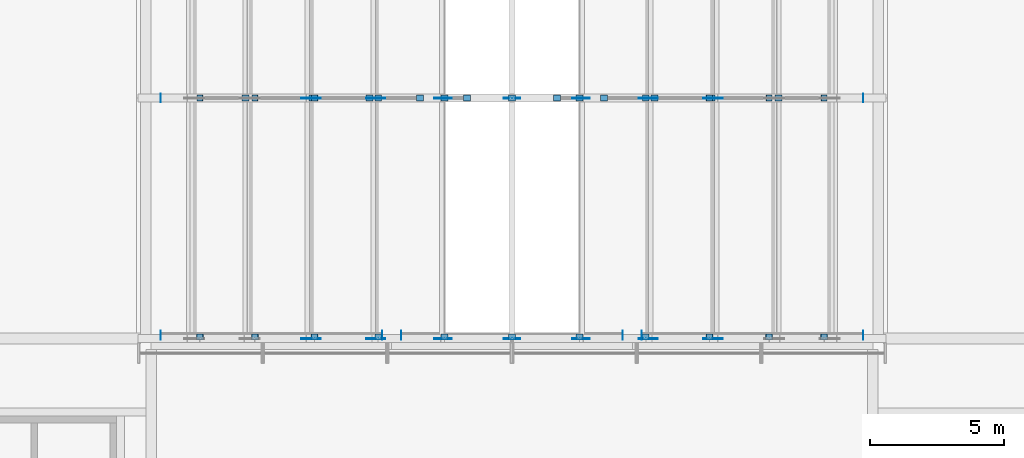
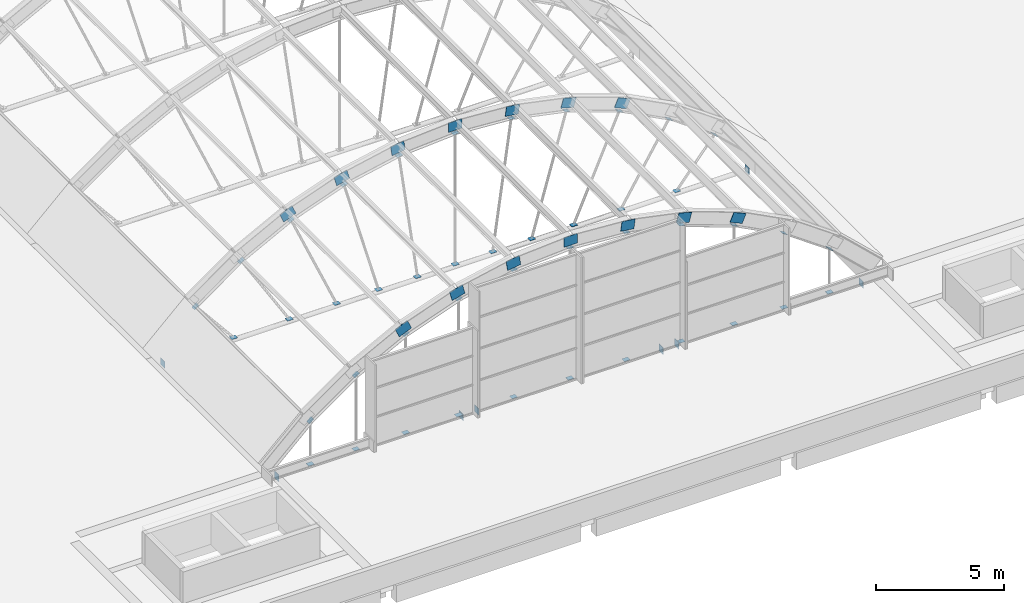
# One storey, part 37 of 43: 80 discrete accessories.
"""IFC4 building model written with IfcOpenShell, lengths in metres."""

from ifc_helpers import new_model, si_unit, direction, frame, origin, origin_2d, place, context, subcontext, project, spatial, rectangle, extrude, material, material_profile, profile_set, type_object, element, save


model = new_model("IFC4")

# Units and contexts
model_context = context("Model", 3, precision=1e-05, world=origin(), true_north=direction((0.0, 1.0)))
body_context = subcontext(model_context, "Body", "Model", "MODEL_VIEW")
ifc_project = project(units=[si_unit("LENGTHUNIT", "METRE"), si_unit("AREAUNIT", "SQUARE_METRE"), si_unit("VOLUMEUNIT", "CUBIC_METRE"), si_unit("PLANEANGLEUNIT", "RADIAN"), si_unit("MASSUNIT", "GRAM", prefix="KILO")], contexts=[model_context])

# Site, building, storey
site_placement = place(None, origin())
site = spatial("IfcSite", under=ifc_project, at=site_placement, CompositionType="ELEMENT")
building_placement = place(site_placement, origin())
building = spatial("IfcBuilding", under=site, at=building_placement, Name="Guidao Yard Department Store", CompositionType="ELEMENT")
storey_placement = place(building_placement, frame((0.0, 0.0, 28.5)))
storey = spatial("IfcBuildingStorey", under=building, at=storey_placement, Name="L06", CompositionType="ELEMENT", Elevation=28.5)

# Discrete accessories
ifc_material_1 = material(Name="Steel Q355B", Category="steel")
ifc_material_profile_1 = material_profile(ifc_material_1, rectangle(XDim=0.011962890625, YDim=0.449951171875, at=origin_2d()), Name="Splice plate 450x12")
ifc_profile_set_1 = profile_set([ifc_material_profile_1], Name="Steel Q355B")
discrete_accessory_type_1 = type_object("IfcDiscreteAccessoryType", Name="Rib splice plate SP2 steel", PredefinedType="BRACKET", material=ifc_profile_set_1)
for number, where, z_axis, x_axis, name in (
    (1, (23.69873046875, 53.987548828125, 4.56689453125), (0.916642434779, 0.0, 0.399708202022), (0.0, 1.0, 0.0), "Rib splice plate A01-03A"),
    (2, (23.69873046875, 54.012451171875, 4.56689453125), (0.916642434779, 0.0, 0.399708202022), (0.0, 1.0, 0.0), "Rib splice plate A01-03B"),
):
    element("IfcDiscreteAccessory", number, at=place(storey_placement, frame(where, z_axis=z_axis, x_axis=x_axis)), inside=storey, type_object=discrete_accessory_type_1, Name=name, PredefinedType="BRACKET", context=body_context, shape_type="SweptSolid", body=[
        extrude(rectangle(XDim=0.011962890625, YDim=0.449951171875, at=origin_2d()), origin(), (0.0, 0.0, 1.0), 0.599853515625),
    ])
for number, where, z_axis, x_axis, name in (
    (3, (26.11083984375, 53.987548828125, 5.470703125), (0.962697322313, 0.0, 0.270580608342), (0.0, 1.0, 0.0), "Rib splice plate A01-04A"),
    (4, (26.11083984375, 54.012451171875, 5.470703125), (0.962697322313, 0.0, 0.270580608342), (0.0, 1.0, 0.0), "Rib splice plate A01-04B"),
    (5, (28.627685546875, 53.987548828125, 6.036865234375), (0.990613532421, 0.0, 0.13669246279), (0.0, 1.0, 0.0), "Rib splice plate A01-05A"),
    (6, (28.627685546875, 54.012451171875, 6.036865234375), (0.990613532421, 0.0, 0.13669246279), (0.0, 1.0, 0.0), "Rib splice plate A01-05B"),
    (7, (31.199951171875, 53.987548828125, 6.25439453125), (1.0, 0.0, 0.0), (0.0, 1.0, 0.0), "Rib splice plate A01-06A"),
    (8, (31.199951171875, 54.012451171875, 6.25439453125), (1.0, 0.0, 0.0), (0.0, 1.0, 0.0), "Rib splice plate A01-06B"),
    (9, (33.77783203125, 53.987548828125, 6.118896484375), (0.990613532421, 0.0, -0.13669246279), (0.0, 1.0, 0.0), "Rib splice plate A01-07A"),
    (10, (33.77783203125, 54.012451171875, 6.118896484375), (0.990613532421, 0.0, -0.13669246279), (0.0, 1.0, 0.0), "Rib splice plate A01-07B"),
    (11, (36.3115234375, 53.987548828125, 5.633056640625), (0.962697322313, 0.0, -0.270580608342), (0.0, 1.0, 0.0), "Rib splice plate A01-08A"),
    (12, (36.3115234375, 54.012451171875, 5.633056640625), (0.962697322313, 0.0, -0.270580608342), (0.0, 1.0, 0.0), "Rib splice plate A01-08B"),
):
    element("IfcDiscreteAccessory", number, at=place(storey_placement, frame(where, z_axis=z_axis, x_axis=x_axis)), inside=storey, type_object=discrete_accessory_type_1, Name=name, PredefinedType="BRACKET", context=body_context, shape_type="SweptSolid", body=[
        extrude(rectangle(XDim=0.011962890625, YDim=0.449951171875, at=origin_2d()), origin(), (0.0, 0.0, 1.0), 0.60009765625),
    ])
for number, where, z_axis, x_axis, name in (
    (13, (38.75146484375, 53.987548828125, 4.806640625), (0.916642434779, 0.0, -0.399708202022), (0.0, 1.0, 0.0), "Rib splice plate A01-09A"),
    (14, (38.75146484375, 54.012451171875, 4.806640625), (0.916642434779, 0.0, -0.399708202022), (0.0, 1.0, 0.0), "Rib splice plate A01-09B"),
    (15, (23.69873046875, 62.987548828125, 4.56689453125), (0.916642434779, 0.0, 0.399708202022), (0.0, 1.0, 0.0), "Rib splice plate A02-03A"),
    (16, (23.69873046875, 63.012451171875, 4.56689453125), (0.916642434779, 0.0, 0.399708202022), (0.0, 1.0, 0.0), "Rib splice plate A02-03B"),
):
    element("IfcDiscreteAccessory", number, at=place(storey_placement, frame(where, z_axis=z_axis, x_axis=x_axis)), inside=storey, type_object=discrete_accessory_type_1, Name=name, PredefinedType="BRACKET", context=body_context, shape_type="SweptSolid", body=[
        extrude(rectangle(XDim=0.011962890625, YDim=0.449951171875, at=origin_2d()), origin(), (0.0, 0.0, 1.0), 0.599853515625),
    ])
for number, where, z_axis, x_axis, name in (
    (17, (26.11083984375, 62.987548828125, 5.470703125), (0.962697322313, 0.0, 0.270580608342), (0.0, 1.0, 0.0), "Rib splice plate A02-04A"),
    (18, (26.11083984375, 63.012451171875, 5.470703125), (0.962697322313, 0.0, 0.270580608342), (0.0, 1.0, 0.0), "Rib splice plate A02-04B"),
    (19, (28.627685546875, 62.987548828125, 6.036865234375), (0.990613532421, 0.0, 0.13669246279), (0.0, 1.0, 0.0), "Rib splice plate A02-05A"),
    (20, (28.627685546875, 63.012451171875, 6.036865234375), (0.990613532421, 0.0, 0.13669246279), (0.0, 1.0, 0.0), "Rib splice plate A02-05B"),
    (21, (31.199951171875, 62.987548828125, 6.25439453125), (1.0, 0.0, 0.0), (0.0, 1.0, 0.0), "Rib splice plate A02-06A"),
    (22, (31.199951171875, 63.012451171875, 6.25439453125), (1.0, 0.0, 0.0), (0.0, 1.0, 0.0), "Rib splice plate A02-06B"),
    (23, (33.77783203125, 62.987548828125, 6.118896484375), (0.990613532421, 0.0, -0.13669246279), (0.0, 1.0, 0.0), "Rib splice plate A02-07A"),
    (24, (33.77783203125, 63.012451171875, 6.118896484375), (0.990613532421, 0.0, -0.13669246279), (0.0, 1.0, 0.0), "Rib splice plate A02-07B"),
    (25, (36.3115234375, 62.987548828125, 5.633056640625), (0.962697322313, 0.0, -0.270580608342), (0.0, 1.0, 0.0), "Rib splice plate A02-08A"),
    (26, (36.3115234375, 63.012451171875, 5.633056640625), (0.962697322313, 0.0, -0.270580608342), (0.0, 1.0, 0.0), "Rib splice plate A02-08B"),
):
    element("IfcDiscreteAccessory", number, at=place(storey_placement, frame(where, z_axis=z_axis, x_axis=x_axis)), inside=storey, type_object=discrete_accessory_type_1, Name=name, PredefinedType="BRACKET", context=body_context, shape_type="SweptSolid", body=[
        extrude(rectangle(XDim=0.011962890625, YDim=0.449951171875, at=origin_2d()), origin(), (0.0, 0.0, 1.0), 0.60009765625),
    ])
for number, where, z_axis, x_axis, name in (
    (27, (38.75146484375, 62.987548828125, 4.806640625), (0.916642434779, 0.0, -0.399708202022), (0.0, 1.0, 0.0), "Rib splice plate A02-09A"),
    (28, (38.75146484375, 63.012451171875, 4.806640625), (0.916642434779, 0.0, -0.399708202022), (0.0, 1.0, 0.0), "Rib splice plate A02-09B"),
):
    element("IfcDiscreteAccessory", number, at=place(storey_placement, frame(where, z_axis=z_axis, x_axis=x_axis)), inside=storey, type_object=discrete_accessory_type_1, Name=name, PredefinedType="BRACKET", context=body_context, shape_type="SweptSolid", body=[
        extrude(rectangle(XDim=0.011962890625, YDim=0.449951171875, at=origin_2d()), origin(), (0.0, 0.0, 1.0), 0.599853515625),
    ])
ifc_material_2 = material(Name="Steel Q355B", Category="steel")
ifc_material_profile_2 = material_profile(ifc_material_2, rectangle(XDim=0.327880859375, YDim=0.011962890625, at=origin_2d()), Name="Node plate 328x12")
ifc_profile_set_2 = profile_set([ifc_material_profile_2], Name="Steel Q355B")
discrete_accessory_type_2 = type_object("IfcDiscreteAccessoryType", Name="Tie end plate NP3 328 steel", PredefinedType="BRACKET", material=ifc_profile_set_2)
for number, where, z_axis, x_axis, name in (
    (29, (18.35595703125, 53.9560546875, -0.449951171875), (0.0, 1.0, 0.0), (0.0, 0.0, 1.0), "Tie end plate A01-1L"),
    (30, (26.64404296875, 53.9560546875, -0.449951171875), (0.0, 1.0, 0.0), (0.0, 0.0, 1.0), "Tie end plate A01-1R"),
    (31, (27.35595703125, 53.9560546875, -0.449951171875), (0.0, 1.0, 0.0), (0.0, 0.0, 1.0), "Tie end plate A01-2L"),
    (32, (35.64404296875, 53.9560546875, -0.449951171875), (0.0, 1.0, 0.0), (0.0, 0.0, 1.0), "Tie end plate A01-2R"),
    (33, (36.35595703125, 53.9560546875, -0.449951171875), (0.0, 1.0, 0.0), (0.0, 0.0, 1.0), "Tie end plate A01-3L"),
    (34, (44.64404296875, 53.9560546875, -0.449951171875), (0.0, 1.0, 0.0), (0.0, 0.0, 1.0), "Tie end plate A01-3R"),
):
    element("IfcDiscreteAccessory", number, at=place(storey_placement, frame(where, z_axis=z_axis, x_axis=x_axis)), inside=storey, type_object=discrete_accessory_type_2, Name=name, PredefinedType="BRACKET", context=body_context, shape_type="SweptSolid", body=[
        extrude(rectangle(XDim=0.327880859375, YDim=0.011962890625, at=origin_2d()), origin(), (0.0, 0.0, 1.0), 0.327880859375),
    ])
for number, where, z_axis, x_axis, name in (
    (35, (18.35595703125, 62.8359375, -0.449951171875), (0.0, 1.0, 0.0), (0.0, 0.0, 1.0), "Tie end plate A02L"),
    (36, (44.64404296875, 62.8359375, -0.449951171875), (0.0, 1.0, 0.0), (0.0, 0.0, 1.0), "Tie end plate A02R"),
):
    element("IfcDiscreteAccessory", number, at=place(storey_placement, frame(where, z_axis=z_axis, x_axis=x_axis)), inside=storey, type_object=discrete_accessory_type_2, Name=name, PredefinedType="BRACKET", context=body_context, shape_type="SweptSolid", body=[
        extrude(rectangle(XDim=0.327880859375, YDim=0.011962890625, at=origin_2d()), origin(), (0.0, 0.0, 1.0), 0.328125),
    ])
ifc_material_3 = material(Name="Steel Q355B", Category="steel")
ifc_material_profile_3 = material_profile(ifc_material_3, rectangle(XDim=0.260009765625, YDim=0.011962890625, at=origin_2d()), Name="Node plate 260x12")
ifc_profile_set_3 = profile_set([ifc_material_profile_3], Name="Steel Q355B")
discrete_accessory_type_3 = type_object("IfcDiscreteAccessoryType", Name="Web foot plate NP2 steel", PredefinedType="BRACKET", material=ifc_profile_set_3)
for number, where, z_axis, x_axis, name in (
    (37, (19.826416015625, 53.949951171875, -0.33447265625), (0.0, 1.0, 0.0), (-1.0, 0.0, 0.0), "Web foot plate A01-01F"),
    (38, (21.876708984375, 53.949951171875, -0.33447265625), (0.0, 1.0, 0.0), (-1.0, 0.0, 0.0), "Web foot plate A01-02F"),
    (39, (24.11376953125, 53.949951171875, -0.33447265625), (0.0, 1.0, 0.0), (-1.0, 0.0, 0.0), "Web foot plate A01-03F"),
    (40, (26.49462890625, 53.949951171875, -0.33447265625), (0.0, 1.0, 0.0), (-1.0, 0.0, 0.0), "Web foot plate A01-04F"),
    (41, (28.97265625, 53.949951171875, -0.33447265625), (0.0, 1.0, 0.0), (-1.0, 0.0, 0.0), "Web foot plate A01-05F"),
    (42, (31.5, 53.949951171875, -0.33447265625), (0.0, 1.0, 0.0), (-1.0, 0.0, 0.0), "Web foot plate A01-06F"),
    (43, (34.02734375, 53.949951171875, -0.33447265625), (0.0, 1.0, 0.0), (-1.0, 0.0, 0.0), "Web foot plate A01-07F"),
    (44, (36.50537109375, 53.949951171875, -0.33447265625), (0.0, 1.0, 0.0), (-1.0, 0.0, 0.0), "Web foot plate A01-08F"),
    (45, (38.88623046875, 53.949951171875, -0.33447265625), (0.0, 1.0, 0.0), (-1.0, 0.0, 0.0), "Web foot plate A01-09F"),
    (46, (41.123291015625, 53.949951171875, -0.33447265625), (0.0, 1.0, 0.0), (-1.0, 0.0, 0.0), "Web foot plate A01-10F"),
    (47, (43.173583984375, 53.949951171875, -0.33447265625), (0.0, 1.0, 0.0), (-1.0, 0.0, 0.0), "Web foot plate A01-11F"),
):
    element("IfcDiscreteAccessory", number, at=place(storey_placement, frame(where, z_axis=z_axis, x_axis=x_axis)), inside=storey, type_object=discrete_accessory_type_3, Name=name, PredefinedType="BRACKET", context=body_context, shape_type="SweptSolid", body=[
        extrude(rectangle(XDim=0.260009765625, YDim=0.011962890625, at=origin_2d()), origin(), (0.0, 0.0, 1.0), 0.219970703125),
    ])
for number, where, z_axis, x_axis, name in (
    (48, (21.531982421875, 62.889892578125, -0.33447265625), (0.0, 1.0, 0.0), (-1.0, 0.0, 0.0), "Web foot plate A02-01F"),
    (49, (24.040283203125, 62.889892578125, -0.33447265625), (0.0, 1.0, 0.0), (-1.0, 0.0, 0.0), "Web foot plate A02-02F"),
    (50, (26.164306640625, 62.889892578125, -0.33447265625), (0.0, 1.0, 0.0), (-1.0, 0.0, 0.0), "Web foot plate A02-03F"),
    (51, (28.053955078125, 62.889892578125, -0.33447265625), (0.0, 1.0, 0.0), (-1.0, 0.0, 0.0), "Web foot plate A02-04F"),
    (52, (29.80810546875, 62.889892578125, -0.33447265625), (0.0, 1.0, 0.0), (-1.0, 0.0, 0.0), "Web foot plate A02-05F"),
    (53, (31.5, 62.889892578125, -0.33447265625), (0.0, 1.0, 0.0), (-1.0, 0.0, 0.0), "Web foot plate A02-06F"),
    (54, (33.19189453125, 62.889892578125, -0.33447265625), (0.0, 1.0, 0.0), (-1.0, 0.0, 0.0), "Web foot plate A02-07F"),
    (55, (34.946044921875, 62.889892578125, -0.33447265625), (0.0, 1.0, 0.0), (-1.0, 0.0, 0.0), "Web foot plate A02-08F"),
    (56, (36.835693359375, 62.889892578125, -0.33447265625), (0.0, 1.0, 0.0), (-1.0, 0.0, 0.0), "Web foot plate A02-09F"),
    (57, (38.959716796875, 62.889892578125, -0.33447265625), (0.0, 1.0, 0.0), (-1.0, 0.0, 0.0), "Web foot plate A02-10F"),
    (58, (41.468017578125, 62.889892578125, -0.33447265625), (0.0, 1.0, 0.0), (-1.0, 0.0, 0.0), "Web foot plate A02-11F"),
):
    element("IfcDiscreteAccessory", number, at=place(storey_placement, frame(where, z_axis=z_axis, x_axis=x_axis)), inside=storey, type_object=discrete_accessory_type_3, Name=name, PredefinedType="BRACKET", context=body_context, shape_type="SweptSolid", body=[
        extrude(rectangle(XDim=0.260009765625, YDim=0.011962890625, at=origin_2d()), origin(), (0.0, 0.0, 1.0), 0.22021484375),
    ])
ifc_material_4 = material(Name="Steel Q355B", Category="steel")
ifc_material_profile_4 = material_profile(ifc_material_4, rectangle(XDim=0.260009765625, YDim=0.011962890625, at=origin_2d()), Name="Node plate 260x12")
ifc_profile_set_4 = profile_set([ifc_material_profile_4], Name="Steel Q355B")
discrete_accessory_type_4 = type_object("IfcDiscreteAccessoryType", Name="Web head plate NP1 steel", PredefinedType="BRACKET", material=ifc_profile_set_4)
for number, where, z_axis, x_axis, name in (
    (59, (19.826416015625, 53.949951171875, 1.740966796875), (0.0, 1.0, 0.0), (-0.772569517273, 0.0, -0.634930185911), "Web head plate A01-01H"),
    (60, (21.876708984375, 53.949951171875, 3.199951171875), (0.0, 1.0, 0.0), (-0.852874237271, 0.0, -0.522116400239), "Web head plate A01-02H"),
    (61, (24.11376953125, 53.949951171875, 4.365234375), (0.0, 1.0, 0.0), (-0.916571220375, 0.0, -0.399871476828), "Web head plate A01-03H"),
    (62, (26.49462890625, 53.949951171875, 5.214111328125), (0.0, 1.0, 0.0), (-0.962711909047, 0.0, -0.270528704906), "Web head plate A01-04H"),
    (63, (28.97265625, 53.949951171875, 5.730224609375), (0.0, 1.0, 0.0), (-0.990647128966, 0.0, -0.13644876647), "Web head plate A01-05H"),
    (64, (31.5, 53.949951171875, 5.903564453125), (0.0, 1.0, 0.0), (-1.0, 0.0, 0.0), "Web head plate A01-06H"),
    (65, (34.02734375, 53.949951171875, 5.730224609375), (0.0, 1.0, 0.0), (-0.990647128966, 0.0, 0.13644876647), "Web head plate A01-07H"),
    (66, (36.50537109375, 53.949951171875, 5.214111328125), (0.0, 1.0, 0.0), (-0.962711909047, 0.0, 0.270528704906), "Web head plate A01-08H"),
    (67, (38.88623046875, 53.949951171875, 4.365234375), (0.0, 1.0, 0.0), (-0.916571220375, 0.0, 0.399871476828), "Web head plate A01-09H"),
    (68, (41.123291015625, 53.949951171875, 3.199951171875), (0.0, 1.0, 0.0), (-0.852874237271, 0.0, 0.522116400239), "Web head plate A01-10H"),
    (69, (43.173583984375, 53.949951171875, 1.740966796875), (0.0, 1.0, 0.0), (-0.772569517273, 0.0, 0.634930185911), "Web head plate A01-11H"),
):
    element("IfcDiscreteAccessory", number, at=place(storey_placement, frame(where, z_axis=z_axis, x_axis=x_axis)), inside=storey, type_object=discrete_accessory_type_4, Name=name, PredefinedType="BRACKET", context=body_context, shape_type="SweptSolid", body=[
        extrude(rectangle(XDim=0.260009765625, YDim=0.011962890625, at=origin_2d()), origin(), (0.0, 0.0, 1.0), 0.219970703125),
    ])
for number, where, z_axis, x_axis, name in (
    (70, (19.826416015625, 62.889892578125, 1.740966796875), (0.0, 1.0, 0.0), (-0.772569517273, 0.0, -0.634930185911), "Web head plate A02-01H"),
    (71, (21.876708984375, 62.889892578125, 3.199951171875), (0.0, 1.0, 0.0), (-0.852874237271, 0.0, -0.522116400239), "Web head plate A02-02H"),
    (72, (24.11376953125, 62.889892578125, 4.365234375), (0.0, 1.0, 0.0), (-0.916571220375, 0.0, -0.399871476828), "Web head plate A02-03H"),
    (73, (26.49462890625, 62.889892578125, 5.214111328125), (0.0, 1.0, 0.0), (-0.962711909047, 0.0, -0.270528704906), "Web head plate A02-04H"),
    (74, (28.97265625, 62.889892578125, 5.730224609375), (0.0, 1.0, 0.0), (-0.990647128966, 0.0, -0.13644876647), "Web head plate A02-05H"),
    (75, (31.5, 62.889892578125, 5.903564453125), (0.0, 1.0, 0.0), (-1.0, 0.0, 0.0), "Web head plate A02-06H"),
    (76, (34.02734375, 62.889892578125, 5.730224609375), (0.0, 1.0, 0.0), (-0.990647128966, 0.0, 0.13644876647), "Web head plate A02-07H"),
    (77, (36.50537109375, 62.889892578125, 5.214111328125), (0.0, 1.0, 0.0), (-0.962711909047, 0.0, 0.270528704906), "Web head plate A02-08H"),
    (78, (38.88623046875, 62.889892578125, 4.365234375), (0.0, 1.0, 0.0), (-0.916571220375, 0.0, 0.399871476828), "Web head plate A02-09H"),
    (79, (41.123291015625, 62.889892578125, 3.199951171875), (0.0, 1.0, 0.0), (-0.852874237271, 0.0, 0.522116400239), "Web head plate A02-10H"),
    (80, (43.173583984375, 62.889892578125, 1.740966796875), (0.0, 1.0, 0.0), (-0.772569517273, 0.0, 0.634930185911), "Web head plate A02-11H"),
):
    element("IfcDiscreteAccessory", number, at=place(storey_placement, frame(where, z_axis=z_axis, x_axis=x_axis)), inside=storey, type_object=discrete_accessory_type_4, Name=name, PredefinedType="BRACKET", context=body_context, shape_type="SweptSolid", body=[
        extrude(rectangle(XDim=0.260009765625, YDim=0.011962890625, at=origin_2d()), origin(), (0.0, 0.0, 1.0), 0.22021484375),
    ])

save(model, "model.ifc")
